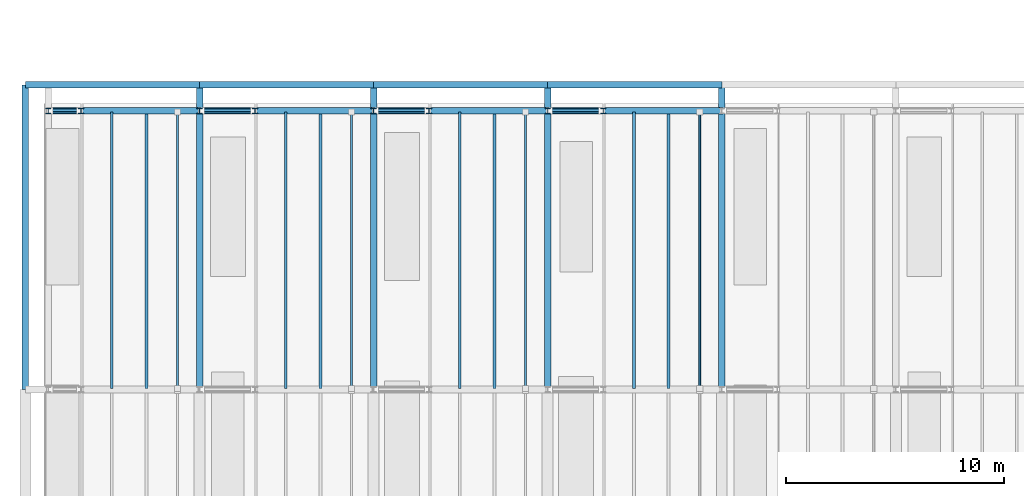
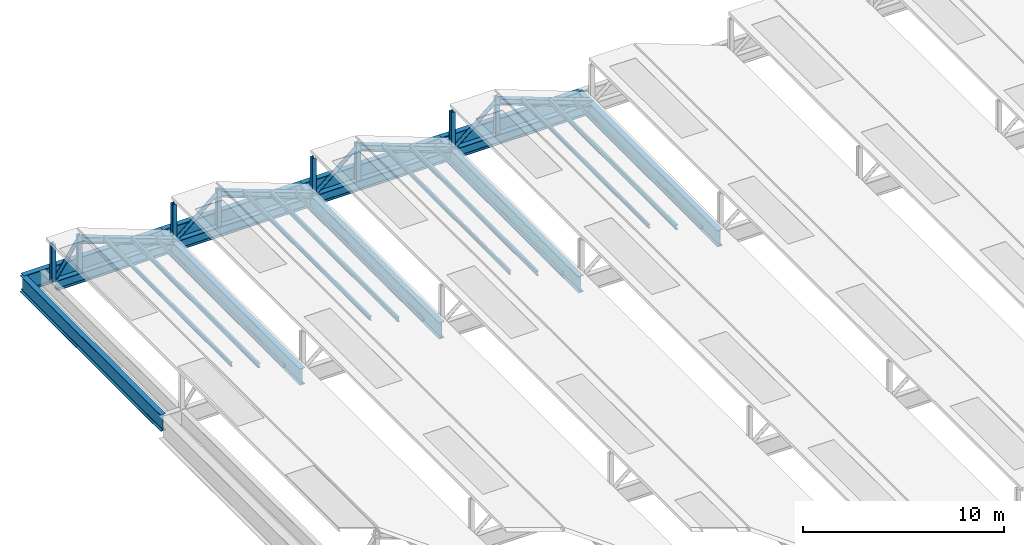
# One storey, part 8 of 14: 28 members, 13 beams.
"""IFC4 building model written with IfcOpenShell, lengths in metres."""

from ifc_helpers import new_model, si_unit, direction, frame, origin, origin_2d, place, context, subcontext, project, spatial, hollow_rectangle, hollow_circle, i_section, extrude, material, material_profile, profile_set, type_object, element, save


model = new_model("IFC4")

# Units and contexts
model_context = context("Model", 3, precision=1e-05, world=origin(), true_north=direction((0.0, 1.0)))
body_context = subcontext(model_context, "Body", "Model", "MODEL_VIEW")
ifc_project = project(units=[si_unit("LENGTHUNIT", "METRE"), si_unit("AREAUNIT", "SQUARE_METRE"), si_unit("VOLUMEUNIT", "CUBIC_METRE"), si_unit("PLANEANGLEUNIT", "RADIAN"), si_unit("MASSUNIT", "GRAM", prefix="KILO")], contexts=[model_context])

# Site, building, storey
site_placement = place(None, origin())
site = spatial("IfcSite", under=ifc_project, at=site_placement, CompositionType="ELEMENT")
building_placement = place(site_placement, origin())
building = spatial("IfcBuilding", under=site, at=building_placement, Name="Vekula Escarpment Museum", CompositionType="ELEMENT")
storey_placement = place(building_placement, frame((0.0, 0.0, 30.60009765625)))
storey = spatial("IfcBuildingStorey", under=building, at=storey_placement, Name="RF", CompositionType="ELEMENT", Elevation=30.60009765625)

# Beams
ifc_material_1 = material(Name="Steel S355", Category="steel")
ifc_material_profile_1 = material_profile(ifc_material_1, i_section(OverallWidth=0.300048828125, OverallDepth=0.60009765625, WebThickness=0.015380859375, FlangeThickness=0.030029296875, FilletRadius=0.027099609375, at=origin_2d()), Name="HEB 600")
ifc_profile_set_1 = profile_set([ifc_material_profile_1], Name="Steel S355")
beam_type_1 = type_object("IfcBeamType", Name="BM-GIRD-HEB600", PredefinedType="BEAM", material=ifc_profile_set_1)
beam_placement = place(storey_placement, frame((71.199951171875, 89.199951171875, -2.550048828125), z_axis=(1.0, 0.0, 0.0), x_axis=(0.0, 1.0, 0.0)))
element("IfcBeam", 1, at=beam_placement, inside=storey, type_object=beam_type_1, Name="Sawtooth Lantern Edge Girder RF 2465", PredefinedType="BEAM", context=body_context, shape_type="SweptSolid", body=[
    extrude(i_section(OverallWidth=0.300048828125, OverallDepth=0.60009765625, WebThickness=0.015380859375, FlangeThickness=0.030029296875, FilletRadius=0.027099609375, at=origin_2d()), origin(), (0.0, 0.0, 1.0), 6.650146484375),
])
for number, where, z_axis, x_axis, name in (
    (2, (78.14990234375, 89.199951171875, -2.550048828125), (1.0, 0.0, 0.0), (0.0, 1.0, 0.0), "Sawtooth Lantern Edge Girder RF 2466"),
    (3, (86.14990234375, 89.199951171875, -2.550048828125), (1.0, 0.0, 0.0), (0.0, 1.0, 0.0), "Sawtooth Lantern Edge Girder RF 2467"),
    (4, (94.14990234375, 89.199951171875, -2.550048828125), (1.0, 0.0, 0.0), (0.0, 1.0, 0.0), "Sawtooth Lantern Edge Girder RF 2468"),
):
    element("IfcBeam", number, at=place(storey_placement, frame(where, z_axis=z_axis, x_axis=x_axis)), inside=storey, type_object=beam_type_1, Name=name, PredefinedType="BEAM", context=body_context, shape_type="SweptSolid", body=[
        extrude(i_section(OverallWidth=0.300048828125, OverallDepth=0.60009765625, WebThickness=0.015380859375, FlangeThickness=0.030029296875, FilletRadius=0.027099609375, at=origin_2d()), origin(), (0.0, 0.0, 1.0), 7.7001953125),
    ])
ifc_material_2 = material(Name="Steel S355", Category="steel")
ifc_material_profile_2 = material_profile(ifc_material_2, i_section(OverallWidth=0.300048828125, OverallDepth=1.0, WebThickness=0.01904296875, FlangeThickness=0.035888671875, FilletRadius=0.030029296875, at=origin_2d()), Name="HEB 1000")
ifc_profile_set_2 = profile_set([ifc_material_profile_2], Name="Steel S355")
beam_type_2 = type_object("IfcBeamType", Name="BM-TRUSS-CHORD-BOT", PredefinedType="BEAM", material=ifc_profile_set_2)
for number, where, z_axis, x_axis, name in (
    (5, (70.0, 90.39990234375, -2.75), (1.0, 0.0, 0.0), (0.0, 1.0, 0.0), "Roof Tie Girder RF 2451"),
    (6, (78.0, 90.39990234375, -2.75), (1.0, 0.0, 0.0), (0.0, 1.0, 0.0), "Roof Tie Girder RF 2452"),
    (7, (86.0, 90.39990234375, -2.75), (1.0, 0.0, 0.0), (0.0, 1.0, 0.0), "Roof Tie Girder RF 2453"),
    (8, (94.0, 90.39990234375, -2.75), (1.0, 0.0, 0.0), (0.0, 1.0, 0.0), "Roof Tie Girder RF 2454"),
):
    element("IfcBeam", number, at=place(storey_placement, frame(where, z_axis=z_axis, x_axis=x_axis)), inside=storey, type_object=beam_type_2, Name=name, PredefinedType="BEAM", context=body_context, shape_type="SweptSolid", body=[
        extrude(i_section(OverallWidth=0.300048828125, OverallDepth=1.0, WebThickness=0.01904296875, FlangeThickness=0.035888671875, FilletRadius=0.030029296875, at=origin_2d()), origin(), (0.0, 0.0, 1.0), 8.0),
    ])
for number, where, z_axis, x_axis, name in (
    (9, (70.0, 76.39990234375, -2.75), (0.0, 1.0, 0.0), (-1.0, 0.0, 0.0), "Sawtooth Tie Girder RF 2476"),
    (10, (78.0, 76.39990234375, -2.75), (0.0, 1.0, 0.0), (-1.0, 0.0, 0.0), "Sawtooth Tie Girder RF 2479"),
    (11, (86.0, 76.39990234375, -2.75), (0.0, 1.0, 0.0), (-1.0, 0.0, 0.0), "Sawtooth Tie Girder RF 2482"),
    (12, (94.0, 76.39990234375, -2.75), (0.0, 1.0, 0.0), (-1.0, 0.0, 0.0), "Sawtooth Tie Girder RF 2485"),
    (13, (102.0, 76.39990234375, -2.75), (0.0, 1.0, 0.0), (-1.0, 0.0, 0.0), "Sawtooth Tie Girder RF 2488"),
):
    element("IfcBeam", number, at=place(storey_placement, frame(where, z_axis=z_axis, x_axis=x_axis)), inside=storey, type_object=beam_type_2, Name=name, PredefinedType="BEAM", context=body_context, shape_type="SweptSolid", body=[
        extrude(i_section(OverallWidth=0.300048828125, OverallDepth=1.0, WebThickness=0.01904296875, FlangeThickness=0.035888671875, FilletRadius=0.030029296875, at=origin_2d()), origin(), (0.0, 0.0, 1.0), 14.0),
    ])

# Members
ifc_material_3 = material(Name="Steel S355", Category="steel")
ifc_material_profile_3 = material_profile(ifc_material_3, i_section(OverallWidth=0.1201171875, OverallDepth=0.239990234375, WebThickness=0.006103515625, FlangeThickness=0.009765625, FilletRadius=0.014892578125, at=origin_2d()), Name="IPE 240")
ifc_profile_set_3 = profile_set([ifc_material_profile_3], Name="Steel S355")
member_type_1 = type_object("IfcMemberType", Name="MB-PURL-IPE240", PredefinedType="PURLIN", material=ifc_profile_set_3)
for number, where, z_axis, x_axis, name in (
    (14, (73.965087890625, 76.449951171875, -0.66015625), (0.0, 1.0, 0.0), (-1.0, 0.0, 0.0), "Sawtooth Roof Purlin 007"),
    (15, (81.965087890625, 76.449951171875, -0.66015625), (0.0, 1.0, 0.0), (-1.0, 0.0, 0.0), "Sawtooth Roof Purlin 020"),
    (16, (89.965087890625, 76.449951171875, -0.66015625), (0.0, 1.0, 0.0), (-1.0, 0.0, 0.0), "Sawtooth Roof Purlin 033"),
    (17, (97.965087890625, 76.449951171875, -0.66015625), (0.0, 1.0, 0.0), (-1.0, 0.0, 0.0), "Sawtooth Roof Purlin 046"),
):
    element("IfcMember", number, at=place(storey_placement, frame(where, z_axis=z_axis, x_axis=x_axis)), inside=storey, type_object=member_type_1, Name=name, PredefinedType="PURLIN", context=body_context, shape_type="SweptSolid", body=[
        extrude(i_section(OverallWidth=0.1201171875, OverallDepth=0.239990234375, WebThickness=0.006103515625, FlangeThickness=0.009765625, FilletRadius=0.014892578125, at=origin_2d()), origin(), (0.0, 0.0, 1.0), 12.699951171875),
    ])
ifc_material_4 = material(Name="Steel S355", Category="steel")
ifc_material_profile_4 = material_profile(ifc_material_4, i_section(OverallWidth=0.135009765625, OverallDepth=0.27001953125, WebThickness=0.006591796875, FlangeThickness=0.01025390625, FilletRadius=0.014892578125, at=origin_2d()), Name="IPE 270")
ifc_profile_set_4 = profile_set([ifc_material_profile_4], Name="Steel S355")
member_type_2 = type_object("IfcMemberType", Name="MB-PURL-IPE270", PredefinedType="PURLIN", material=ifc_profile_set_4)
for number, where, z_axis, x_axis, name in (
    (18, (75.554931640625, 76.449951171875, -1.275146484375), (0.0, 1.0, 0.0), (-1.0, 0.0, 0.0), "Sawtooth Roof Purlin 010"),
    (19, (83.554931640625, 76.449951171875, -1.275146484375), (0.0, 1.0, 0.0), (-1.0, 0.0, 0.0), "Sawtooth Roof Purlin 023"),
    (20, (91.554931640625, 76.449951171875, -1.275146484375), (0.0, 1.0, 0.0), (-1.0, 0.0, 0.0), "Sawtooth Roof Purlin 036"),
    (21, (99.554931640625, 76.449951171875, -1.275146484375), (0.0, 1.0, 0.0), (-1.0, 0.0, 0.0), "Sawtooth Roof Purlin 049"),
):
    element("IfcMember", number, at=place(storey_placement, frame(where, z_axis=z_axis, x_axis=x_axis)), inside=storey, type_object=member_type_2, Name=name, PredefinedType="PURLIN", context=body_context, shape_type="SweptSolid", body=[
        extrude(i_section(OverallWidth=0.135009765625, OverallDepth=0.27001953125, WebThickness=0.006591796875, FlangeThickness=0.01025390625, FilletRadius=0.014892578125, at=origin_2d()), origin(), (0.0, 0.0, 1.0), 12.699951171875),
    ])
ifc_material_5 = material(Name="Steel S355", Category="steel")
ifc_material_profile_5 = material_profile(ifc_material_5, hollow_rectangle(XDim=0.10009765625, YDim=0.199951171875, WallThickness=0.008056640625, InnerFilletRadius=0.008056640625, OuterFilletRadius=0.01611328125, at=origin_2d()), Name="RHS 200x100x8")
ifc_profile_set_5 = profile_set([ifc_material_profile_5], Name="Steel S355")
member_type_3 = type_object("IfcMemberType", Name="MB-PURL-RHS200", PredefinedType="PURLIN", material=ifc_profile_set_5)
for number, where, z_axis, x_axis, name in (
    (22, (76.986083984375, 76.449951171875, -1.780029296875), (0.0, 1.0, 0.0), (-1.0, 0.0, 0.0), "Sawtooth Roof Purlin 013"),
    (23, (84.986083984375, 76.449951171875, -1.780029296875), (0.0, 1.0, 0.0), (-1.0, 0.0, 0.0), "Sawtooth Roof Purlin 026"),
    (24, (92.986083984375, 76.449951171875, -1.780029296875), (0.0, 1.0, 0.0), (-1.0, 0.0, 0.0), "Sawtooth Roof Purlin 039"),
    (25, (100.986083984375, 76.449951171875, -1.780029296875), (0.0, 1.0, 0.0), (-1.0, 0.0, 0.0), "Sawtooth Roof Purlin 052"),
):
    element("IfcMember", number, at=place(storey_placement, frame(where, z_axis=z_axis, x_axis=x_axis)), inside=storey, type_object=member_type_3, Name=name, PredefinedType="PURLIN", context=body_context, shape_type="SweptSolid", body=[
        extrude(hollow_rectangle(XDim=0.10009765625, YDim=0.199951171875, WallThickness=0.008056640625, InnerFilletRadius=0.008056640625, OuterFilletRadius=0.01611328125, at=origin_2d()), origin(), (0.0, 0.0, 1.0), 12.699951171875),
    ])
ifc_material_6 = material(Name="Steel S355", Category="steel")
ifc_material_profile_6 = material_profile(ifc_material_6, i_section(OverallWidth=0.300048828125, OverallDepth=0.360107421875, WebThickness=0.012451171875, FlangeThickness=0.0224609375, FilletRadius=0.027099609375, at=origin_2d()), Name="HEB 360")
ifc_profile_set_6 = profile_set([ifc_material_profile_6], Name="Steel S355")
member_type_4 = type_object("IfcMemberType", Name="MB-SAW-CHORD", PredefinedType="CHORD", material=ifc_profile_set_6)
for number, where, z_axis, x_axis, name in (
    (26, (72.550048828125, 89.199951171875, -0.260009765625), (0.938223943436, 0.0, -0.346028657721), (0.0, 1.0, 0.0), "Sawtooth Rafter 004"),
    (27, (80.550048828125, 89.199951171875, -0.260009765625), (0.938223943436, 0.0, -0.346028657721), (0.0, 1.0, 0.0), "Sawtooth Rafter 017"),
    (28, (88.550048828125, 89.199951171875, -0.260009765625), (0.938223943436, 0.0, -0.346028657721), (0.0, 1.0, 0.0), "Sawtooth Rafter 030"),
    (29, (96.550048828125, 89.199951171875, -0.260009765625), (0.938223943436, 0.0, -0.346028657721), (0.0, 1.0, 0.0), "Sawtooth Rafter 043"),
):
    element("IfcMember", number, at=place(storey_placement, frame(where, z_axis=z_axis, x_axis=x_axis)), inside=storey, type_object=member_type_4, Name=name, PredefinedType="CHORD", context=body_context, shape_type="SweptSolid", body=[
        extrude(i_section(OverallWidth=0.300048828125, OverallDepth=0.360107421875, WebThickness=0.012451171875, FlangeThickness=0.0224609375, FilletRadius=0.027099609375, at=origin_2d()), origin(), (0.0, 0.0, 1.0), 5.808837890625),
    ])
ifc_material_7 = material(Name="Steel S355", Category="steel")
ifc_material_profile_7 = material_profile(ifc_material_7, hollow_circle(Radius=0.109619140625, WallThickness=0.010009765625, at=origin_2d()), Name="CHS 219.1x10")
ifc_profile_set_7 = profile_set([ifc_material_profile_7], Name="Steel S355")
member_type_5 = type_object("IfcMemberType", Name="MB-SAW-DIAG", PredefinedType="BRACE", material=ifc_profile_set_7)
member_placement = place(storey_placement, frame((71.1298828125, 89.199951171875, -2.27001953125), z_axis=(0.560421003416, 0.0, 0.828207883885), x_axis=(0.0, 1.0, 0.0)))
element("IfcMember", 30, at=member_placement, inside=storey, type_object=member_type_5, Name="Sawtooth Roof Truss Diagonal 004", PredefinedType="BRACE", context=body_context, shape_type="SweptSolid", body=[
    extrude(hollow_circle(Radius=0.109619140625, WallThickness=0.010009765625, at=origin_2d()), origin(), (0.0, 0.0, 1.0), 2.427001953125),
])
for number, where, z_axis, x_axis, name in (
    (31, (78.080078125, 89.199951171875, -2.27001953125), (0.767947002011, 0.0, 0.64051338948), (0.0, 1.0, 0.0), "Sawtooth Roof Truss Diagonal 017"),
    (32, (86.080078125, 89.199951171875, -2.27001953125), (0.767947002011, 0.0, 0.64051338948), (0.0, 1.0, 0.0), "Sawtooth Roof Truss Diagonal 030"),
    (33, (94.080078125, 89.199951171875, -2.27001953125), (0.767947002011, 0.0, 0.64051338948), (0.0, 1.0, 0.0), "Sawtooth Roof Truss Diagonal 043"),
):
    element("IfcMember", number, at=place(storey_placement, frame(where, z_axis=z_axis, x_axis=x_axis)), inside=storey, type_object=member_type_5, Name=name, PredefinedType="BRACE", context=body_context, shape_type="SweptSolid", body=[
        extrude(hollow_circle(Radius=0.109619140625, WallThickness=0.010009765625, at=origin_2d()), origin(), (0.0, 0.0, 1.0), 3.13818359375),
    ])
ifc_material_8 = material(Name="Steel S355", Category="steel")
ifc_material_profile_8 = material_profile(ifc_material_8, i_section(OverallWidth=0.239990234375, OverallDepth=0.239990234375, WebThickness=0.010009765625, FlangeThickness=0.01708984375, FilletRadius=0.02099609375, at=origin_2d()), Name="HEB 240")
ifc_profile_set_8 = profile_set([ifc_material_profile_8], Name="Steel S355")
member_type_6 = type_object("IfcMemberType", Name="MB-SAW-POST", PredefinedType="STRUT", material=ifc_profile_set_8)
for number, where, z_axis, x_axis, name in (
    (34, (71.050048828125, 89.199951171875, -2.27001953125), (0.0, 0.0, 1.0), (1.0, 0.0, 0.0), "Sawtooth North Post 004"),
    (35, (72.550048828125, 89.199951171875, -2.27001953125), (0.0, 0.0, 1.0), (1.0, 0.0, 0.0), "Sawtooth Monitor Post 004"),
    (36, (78.0, 89.199951171875, -2.27001953125), (0.0, 0.0, 1.0), (1.0, 0.0, 0.0), "Sawtooth North Post 017"),
    (37, (80.550048828125, 89.199951171875, -2.27001953125), (0.0, 0.0, 1.0), (1.0, 0.0, 0.0), "Sawtooth Monitor Post 017"),
    (38, (86.0, 89.199951171875, -2.27001953125), (0.0, 0.0, 1.0), (1.0, 0.0, 0.0), "Sawtooth North Post 030"),
    (39, (88.550048828125, 89.199951171875, -2.27001953125), (0.0, 0.0, 1.0), (1.0, 0.0, 0.0), "Sawtooth Monitor Post 030"),
    (40, (94.0, 89.199951171875, -2.27001953125), (0.0, 0.0, 1.0), (1.0, 0.0, 0.0), "Sawtooth North Post 043"),
    (41, (96.550048828125, 89.199951171875, -2.27001953125), (0.0, 0.0, 1.0), (1.0, 0.0, 0.0), "Sawtooth Monitor Post 043"),
):
    element("IfcMember", number, at=place(storey_placement, frame(where, z_axis=z_axis, x_axis=x_axis)), inside=storey, type_object=member_type_6, Name=name, PredefinedType="STRUT", context=body_context, shape_type="SweptSolid", body=[
        extrude(i_section(OverallWidth=0.239990234375, OverallDepth=0.239990234375, WebThickness=0.010009765625, FlangeThickness=0.01708984375, FilletRadius=0.02099609375, at=origin_2d()), origin(), (0.0, 0.0, 1.0), 2.2900390625),
    ])

save(model, "model.ifc")
